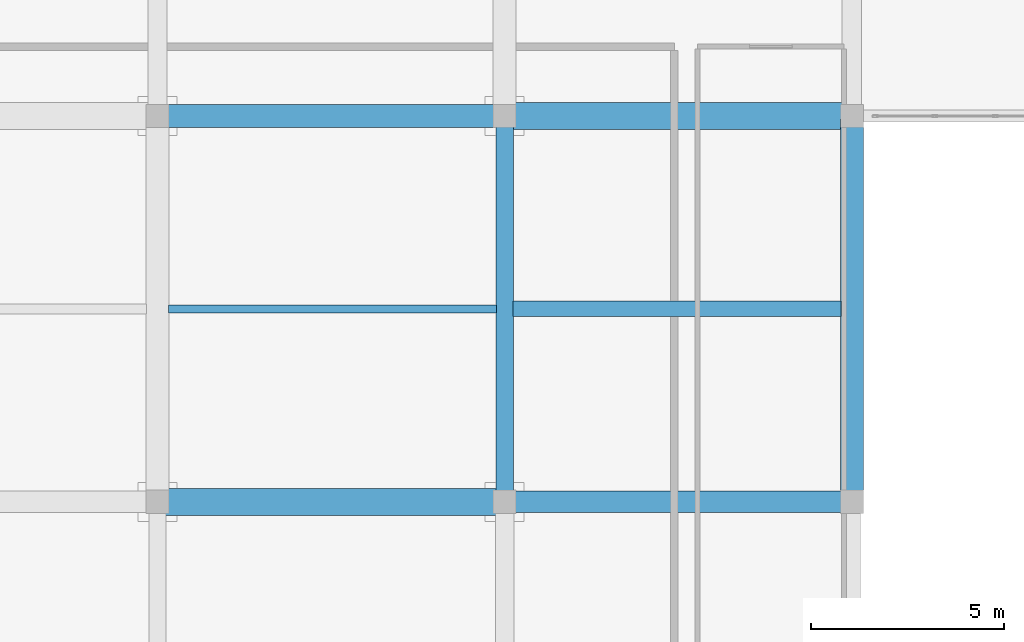
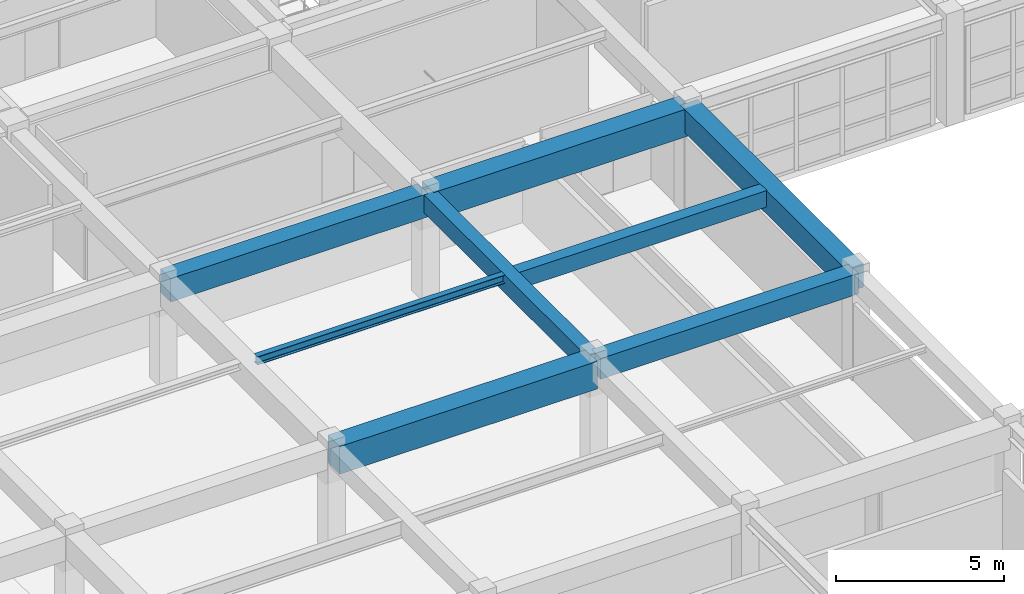
# One storey, part 43 of 130: 8 beams.
"""IFC4 building model written with IfcOpenShell, lengths in metres."""

from ifc_helpers import new_model, si_unit, direction, frame, origin, origin_2d, place, context, subcontext, project, spatial, rectangle, i_section, extrude, material, material_profile, profile_set, type_object, element, save


model = new_model("IFC4")

# Units and contexts
model_context = context("Model", 3, precision=1e-05, world=origin(), true_north=direction((0.0, 1.0)))
body_context = subcontext(model_context, "Body", "Model", "MODEL_VIEW")
ifc_project = project(units=[si_unit("LENGTHUNIT", "METRE"), si_unit("AREAUNIT", "SQUARE_METRE"), si_unit("VOLUMEUNIT", "CUBIC_METRE"), si_unit("PLANEANGLEUNIT", "RADIAN"), si_unit("MASSUNIT", "GRAM", prefix="KILO")], contexts=[model_context])

# Site, building, storey
site_placement = place(None, origin())
site = spatial("IfcSite", under=ifc_project, at=site_placement, CompositionType="ELEMENT")
building_placement = place(site_placement, origin())
building = spatial("IfcBuilding", under=site, at=building_placement, Name="Miravela Opera House", CompositionType="ELEMENT")
storey_placement = place(building_placement, frame((0.0, 0.0, 9.52001953125)))
storey = spatial("IfcBuildingStorey", under=building, at=storey_placement, Name="L02", CompositionType="ELEMENT", Elevation=9.52001953125)

# Beams
ifc_material_1 = material(Name="Concrete C35/45", Category="concrete")
ifc_material_profile_1 = material_profile(ifc_material_1, rectangle(XDim=0.39990234375, YDim=0.60009765625, at=origin_2d()), Name="RC-BM-400X600")
ifc_profile_set_1 = profile_set([ifc_material_profile_1])
beam_type_1 = type_object("IfcBeamType", Name="STR-BM-RC400X600", PredefinedType="JOIST", material=ifc_profile_set_1)
beam_1_placement = place(storey_placement, frame((108.2099609375, 23.0, 3.510009765625), z_axis=(1.0, 0.0, 0.0), x_axis=(0.0, 1.0, 0.0)))
element("IfcBeam", 1, at=beam_1_placement, inside=storey, type_object=beam_type_1, Name="Secondary Floor Joist L02 13-14/C-D", PredefinedType="JOIST", context=body_context, shape_type="SweptSolid", body=[
    extrude(rectangle(XDim=0.39990234375, YDim=0.60009765625, at=origin_2d()), origin(), (0.0, 0.0, 1.0), 8.505126953125),
])
ifc_material_profile_2 = material_profile(ifc_material_1, rectangle(XDim=0.449951171875, YDim=0.64990234375, at=origin_2d()), Name="RC-BM-450X650")
ifc_profile_set_2 = profile_set([ifc_material_profile_2])
beam_type_2 = type_object("IfcBeamType", Name="STR-BM-RC450X650", PredefinedType="BEAM", material=ifc_profile_set_2)
beam_2_placement = place(storey_placement, frame((108.0, 18.080078125, 3.48486328125), z_axis=(0.0, 1.0, 0.0), x_axis=(-1.0, 0.0, 0.0)))
element("IfcBeam", 2, at=beam_2_placement, inside=storey, type_object=beam_type_2, Name="Floor Girder L02 13/C-D", PredefinedType="BEAM", context=body_context, shape_type="SweptSolid", body=[
    extrude(rectangle(XDim=0.449951171875, YDim=0.64990234375, at=origin_2d()), origin(), (0.0, 0.0, 1.0), 9.83984375),
])
ifc_material_profile_3 = material_profile(ifc_material_1, rectangle(XDim=0.550048828125, YDim=0.75, at=origin_2d()), Name="RC-BM-550X750")
ifc_profile_set_3 = profile_set([ifc_material_profile_3])
beam_type_3 = type_object("IfcBeamType", Name="STR-BM-RC550X750", PredefinedType="BEAM", material=ifc_profile_set_3)
beam_3_placement = place(storey_placement, frame((108.080078125, 18.0, 3.43505859375), z_axis=(1.0, 0.0, 0.0), x_axis=(0.0, 1.0, 0.0)))
element("IfcBeam", 3, at=beam_3_placement, inside=storey, type_object=beam_type_3, Name="Floor Girder L02 13-14/C", PredefinedType="BEAM", context=body_context, shape_type="SweptSolid", body=[
    extrude(rectangle(XDim=0.550048828125, YDim=0.75, at=origin_2d()), origin(), (0.0, 0.0, 1.0), 8.83984375),
])
ifc_material_2 = material(Name="Concrete C40/50", Category="concrete")
ifc_material_profile_4 = material_profile(ifc_material_2, rectangle(XDim=0.60009765625, YDim=0.85009765625, at=origin_2d()), Name="RC-BM-600X850")
ifc_profile_set_4 = profile_set([ifc_material_profile_4])
beam_type_4 = type_object("IfcBeamType", Name="STR-BM-RC600X850", PredefinedType="BEAM", material=ifc_profile_set_4)
beam_4_placement = place(storey_placement, frame((99.080078125, 28.0, 3.385009765625), z_axis=(1.0, 0.0, 0.0), x_axis=(0.0, 1.0, 0.0)))
element("IfcBeam", 4, at=beam_4_placement, inside=storey, type_object=beam_type_4, Name="Floor Girder L02 12-13/D", PredefinedType="BEAM", context=body_context, shape_type="SweptSolid", body=[
    extrude(rectangle(XDim=0.60009765625, YDim=0.85009765625, at=origin_2d()), origin(), (0.0, 0.0, 1.0), 8.83984375),
])
beam_5_placement = place(storey_placement, frame((117.0, 18.080078125, 3.385009765625), z_axis=(0.0, 1.0, 0.0), x_axis=(-1.0, 0.0, 0.0)))
element("IfcBeam", 5, at=beam_5_placement, inside=storey, type_object=beam_type_4, Name="Floor Girder L02 14/C-D", PredefinedType="BEAM", context=body_context, shape_type="SweptSolid", body=[
    extrude(rectangle(XDim=0.60009765625, YDim=0.85009765625, at=origin_2d()), origin(), (0.0, 0.0, 1.0), 9.83984375),
])
ifc_material_profile_5 = material_profile(ifc_material_2, rectangle(XDim=0.699951171875, YDim=1.0, at=origin_2d()), Name="RC-BM-700X1000")
ifc_profile_set_5 = profile_set([ifc_material_profile_5])
beam_type_5 = type_object("IfcBeamType", Name="STR-BM-RC700X1000", PredefinedType="BEAM", material=ifc_profile_set_5)
for number, where, z_axis, x_axis, name in (
    (6, (99.080078125, 18.0, 3.31005859375), (1.0, 0.0, 0.0), (0.0, 1.0, 0.0), "Floor Girder L02 12-13/C"),
    (7, (108.080078125, 28.0, 3.31005859375), (1.0, 0.0, 0.0), (0.0, 1.0, 0.0), "Floor Girder L02 13-14/D"),
):
    element("IfcBeam", number, at=place(storey_placement, frame(where, z_axis=z_axis, x_axis=x_axis)), inside=storey, type_object=beam_type_5, Name=name, PredefinedType="BEAM", context=body_context, shape_type="SweptSolid", body=[
        extrude(rectangle(XDim=0.699951171875, YDim=1.0, at=origin_2d()), origin(), (0.0, 0.0, 1.0), 8.83984375),
    ])
ifc_material_3 = material(Name="Structural steel ASTM A992 Gr. 50", Category="steel")
ifc_material_profile_6 = material_profile(ifc_material_3, i_section(OverallWidth=0.202880859375, OverallDepth=0.302978515625, WebThickness=0.007568359375, FlangeThickness=0.01318359375, FilletRadius=0.012939453125, at=origin_2d()), Name="W310X60")
ifc_profile_set_6 = profile_set([ifc_material_profile_6])
beam_type_6 = type_object("IfcBeamType", Name="STR-BM-W310X60", PredefinedType="JOIST", material=ifc_profile_set_6)
beam_6_placement = place(storey_placement, frame((99.284912109375, 23.0, 3.658447265625), z_axis=(1.0, 0.0, 0.0), x_axis=(0.0, 1.0, 0.0)))
element("IfcBeam", 8, at=beam_6_placement, inside=storey, type_object=beam_type_6, Name="Secondary Floor Joist L02 12-13/C-D", PredefinedType="JOIST", context=body_context, shape_type="SweptSolid", body=[
    extrude(i_section(OverallWidth=0.202880859375, OverallDepth=0.302978515625, WebThickness=0.007568359375, FlangeThickness=0.01318359375, FilletRadius=0.012939453125, at=origin_2d()), origin(), (0.0, 0.0, 1.0), 8.505126953125),
])

save(model, "model.ifc")
